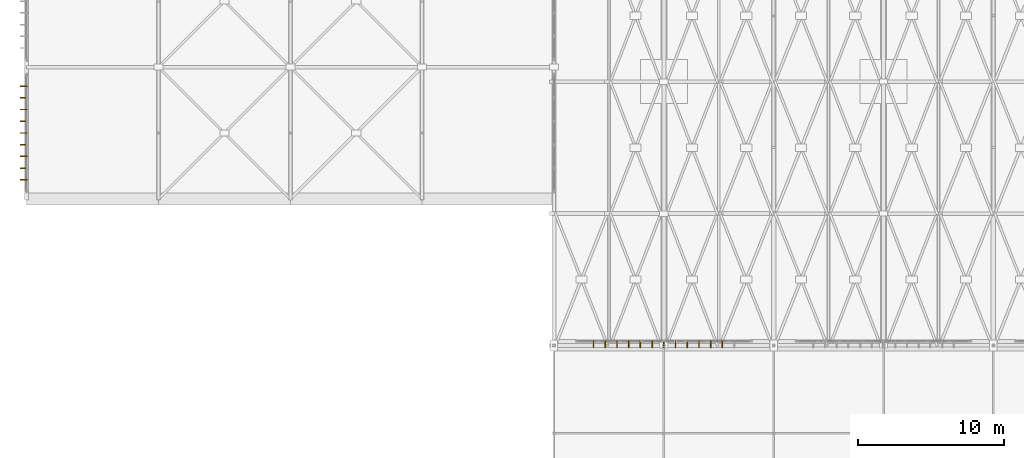
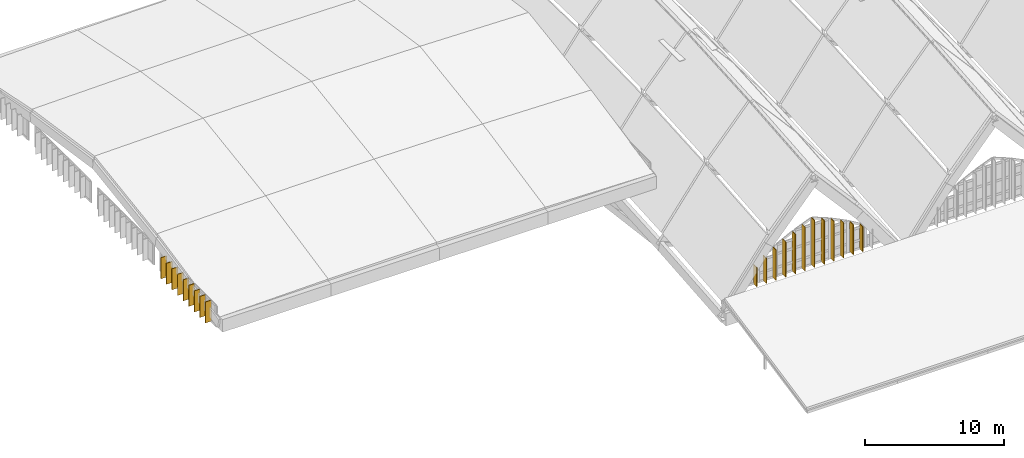
# One storey, part 83 of 93: 21 shading devices.
"""IFC4 building model written with IfcOpenShell, lengths in metres."""

from ifc_helpers import new_model, si_unit, direction, frame, origin, origin_2d, place, context, subcontext, project, spatial, rectangle, extrude, material, material_profile, profile_set, type_object, element, save


model = new_model("IFC4")

# Units and contexts
model_context = context("Model", 3, precision=1e-05, world=origin(), true_north=direction((0.0, 1.0)))
body_context = subcontext(model_context, "Body", "Model", "MODEL_VIEW")
ifc_project = project(units=[si_unit("LENGTHUNIT", "METRE"), si_unit("AREAUNIT", "SQUARE_METRE"), si_unit("VOLUMEUNIT", "CUBIC_METRE"), si_unit("PLANEANGLEUNIT", "RADIAN"), si_unit("MASSUNIT", "GRAM", prefix="KILO")], contexts=[model_context])

# Site, building, storey
site_placement = place(None, origin())
site = spatial("IfcSite", under=ifc_project, at=site_placement, CompositionType="ELEMENT")
building_placement = place(site_placement, origin())
building = spatial("IfcBuilding", under=site, at=building_placement, Name="Vourika Railside Aquatics Centre", CompositionType="ELEMENT")
storey_placement = place(building_placement, frame((0.0, 0.0, 21.89990234375)))
storey = spatial("IfcBuildingStorey", under=building, at=storey_placement, Name="Roof", CompositionType="ELEMENT", Elevation=21.89990234375)

# Shading devices
ifc_material = material(Name="Bronze-anodized extruded aluminium", Category="aluminium")
ifc_material_profile_1 = material_profile(ifc_material, rectangle(XDim=0.06005859375, YDim=0.47998046875, at=origin_2d()), Name="ALU-FIN 60x480")
ifc_profile_set_1 = profile_set([ifc_material_profile_1], Name="Bronze-anodized extruded aluminium")
shading_device_type_1 = type_object("IfcShadingDeviceType", Name="SHD-FIN-F48A", PredefinedType="USERDEFINED", material=ifc_profile_set_1)
shading_device_1_placement = place(storey_placement, frame((38.699951171875, 12.06494140625, -9.8798828125), z_axis=(0.0, 0.0, 1.0), x_axis=(-1.0, 0.0, 0.0)))
element("IfcShadingDevice", 1, at=shading_device_1_placement, inside=storey, type_object=shading_device_type_1, Name="Vertical Solar Fin VSF-0014", ObjectType="FIN", PredefinedType="USERDEFINED", context=body_context, shape_type="SweptSolid", body=[
    extrude(rectangle(XDim=0.06005859375, YDim=0.47998046875, at=origin_2d()), origin(), (0.0, 0.0, 1.0), 1.68603515625),
])
shading_device_2_placement = place(storey_placement, frame((39.5, 12.06494140625, -9.8798828125), z_axis=(0.0, 0.0, 1.0), x_axis=(-1.0, 0.0, 0.0)))
element("IfcShadingDevice", 2, at=shading_device_2_placement, inside=storey, type_object=shading_device_type_1, Name="Vertical Solar Fin VSF-0015", ObjectType="FIN", PredefinedType="USERDEFINED", context=body_context, shape_type="SweptSolid", body=[
    extrude(rectangle(XDim=0.06005859375, YDim=0.47998046875, at=origin_2d()), origin(), (0.0, 0.0, 1.0), 2.196044921875),
])
shading_device_3_placement = place(storey_placement, frame((40.300048828125, 12.06494140625, -9.8798828125), z_axis=(0.0, 0.0, 1.0), x_axis=(-1.0, 0.0, 0.0)))
element("IfcShadingDevice", 3, at=shading_device_3_placement, inside=storey, type_object=shading_device_type_1, Name="Vertical Solar Fin VSF-0016", ObjectType="FIN", PredefinedType="USERDEFINED", context=body_context, shape_type="SweptSolid", body=[
    extrude(rectangle(XDim=0.06005859375, YDim=0.47998046875, at=origin_2d()), origin(), (0.0, 0.0, 1.0), 2.6650390625),
])
shading_device_4_placement = place(storey_placement, frame((41.10009765625, 12.06494140625, -9.8798828125), z_axis=(0.0, 0.0, 1.0), x_axis=(-1.0, 0.0, 0.0)))
element("IfcShadingDevice", 4, at=shading_device_4_placement, inside=storey, type_object=shading_device_type_1, Name="Vertical Solar Fin VSF-0017", ObjectType="FIN", PredefinedType="USERDEFINED", context=body_context, shape_type="SweptSolid", body=[
    extrude(rectangle(XDim=0.06005859375, YDim=0.47998046875, at=origin_2d()), origin(), (0.0, 0.0, 1.0), 3.093017578125),
])
shading_device_5_placement = place(storey_placement, frame((41.89990234375, 12.06494140625, -9.8798828125), z_axis=(0.0, 0.0, 1.0), x_axis=(-1.0, 0.0, 0.0)))
element("IfcShadingDevice", 5, at=shading_device_5_placement, inside=storey, type_object=shading_device_type_1, Name="Vertical Solar Fin VSF-0018", ObjectType="FIN", PredefinedType="USERDEFINED", context=body_context, shape_type="SweptSolid", body=[
    extrude(rectangle(XDim=0.06005859375, YDim=0.47998046875, at=origin_2d()), origin(), (0.0, 0.0, 1.0), 3.47998046875),
])
for number, where, z_axis, x_axis, name in (
    (6, (42.699951171875, 12.06494140625, -9.8798828125), (0.0, 0.0, 1.0), (-1.0, 0.0, 0.0), "Vertical Solar Fin VSF-0019"),
    (7, (44.300048828125, 12.06494140625, -9.8798828125), (0.0, 0.0, 1.0), (-1.0, 0.0, 0.0), "Vertical Solar Fin VSF-0021"),
):
    element("IfcShadingDevice", number, at=place(storey_placement, frame(where, z_axis=z_axis, x_axis=x_axis)), inside=storey, type_object=shading_device_type_1, Name=name, ObjectType="FIN", PredefinedType="USERDEFINED", context=body_context, shape_type="SweptSolid", body=[
        extrude(rectangle(XDim=0.06005859375, YDim=0.47998046875, at=origin_2d()), origin(), (0.0, 0.0, 1.0), 3.824951171875),
    ])
shading_device_6_placement = place(storey_placement, frame((45.10009765625, 12.06494140625, -9.8798828125), z_axis=(0.0, 0.0, 1.0), x_axis=(-1.0, 0.0, 0.0)))
element("IfcShadingDevice", 8, at=shading_device_6_placement, inside=storey, type_object=shading_device_type_1, Name="Vertical Solar Fin VSF-0022", ObjectType="FIN", PredefinedType="USERDEFINED", context=body_context, shape_type="SweptSolid", body=[
    extrude(rectangle(XDim=0.06005859375, YDim=0.47998046875, at=origin_2d()), origin(), (0.0, 0.0, 1.0), 3.47998046875),
])
shading_device_7_placement = place(storey_placement, frame((45.89990234375, 12.06494140625, -9.8798828125), z_axis=(0.0, 0.0, 1.0), x_axis=(-1.0, 0.0, 0.0)))
element("IfcShadingDevice", 9, at=shading_device_7_placement, inside=storey, type_object=shading_device_type_1, Name="Vertical Solar Fin VSF-0023", ObjectType="FIN", PredefinedType="USERDEFINED", context=body_context, shape_type="SweptSolid", body=[
    extrude(rectangle(XDim=0.06005859375, YDim=0.47998046875, at=origin_2d()), origin(), (0.0, 0.0, 1.0), 3.093017578125),
])
shading_device_8_placement = place(storey_placement, frame((46.699951171875, 12.06494140625, -9.8798828125), z_axis=(0.0, 0.0, 1.0), x_axis=(-1.0, 0.0, 0.0)))
element("IfcShadingDevice", 10, at=shading_device_8_placement, inside=storey, type_object=shading_device_type_1, Name="Vertical Solar Fin VSF-0024", ObjectType="FIN", PredefinedType="USERDEFINED", context=body_context, shape_type="SweptSolid", body=[
    extrude(rectangle(XDim=0.06005859375, YDim=0.47998046875, at=origin_2d()), origin(), (0.0, 0.0, 1.0), 2.6650390625),
])
shading_device_9_placement = place(storey_placement, frame((47.5, 12.06494140625, -9.8798828125), z_axis=(0.0, 0.0, 1.0), x_axis=(-1.0, 0.0, 0.0)))
element("IfcShadingDevice", 11, at=shading_device_9_placement, inside=storey, type_object=shading_device_type_1, Name="Vertical Solar Fin VSF-0025", ObjectType="FIN", PredefinedType="USERDEFINED", context=body_context, shape_type="SweptSolid", body=[
    extrude(rectangle(XDim=0.06005859375, YDim=0.47998046875, at=origin_2d()), origin(), (0.0, 0.0, 1.0), 2.196044921875),
])
for number, where, z_axis, x_axis, name in (
    (12, (-0.215087890625, 23.300048828125, -6.2998046875), (0.0, 0.0, 1.0), (0.0, 1.0, 0.0), "Vertical Solar Fin VSF-0283"),
    (13, (-0.215087890625, 24.10009765625, -6.2998046875), (0.0, 0.0, 1.0), (0.0, 1.0, 0.0), "Vertical Solar Fin VSF-0284"),
    (14, (-0.215087890625, 24.89990234375, -6.2998046875), (0.0, 0.0, 1.0), (0.0, 1.0, 0.0), "Vertical Solar Fin VSF-0285"),
    (15, (-0.215087890625, 25.699951171875, -6.2998046875), (0.0, 0.0, 1.0), (0.0, 1.0, 0.0), "Vertical Solar Fin VSF-0286"),
    (16, (-0.215087890625, 26.5, -6.2998046875), (0.0, 0.0, 1.0), (0.0, 1.0, 0.0), "Vertical Solar Fin VSF-0287"),
    (17, (-0.215087890625, 27.300048828125, -6.2998046875), (0.0, 0.0, 1.0), (0.0, 1.0, 0.0), "Vertical Solar Fin VSF-0288"),
    (18, (-0.215087890625, 28.10009765625, -6.2998046875), (0.0, 0.0, 1.0), (0.0, 1.0, 0.0), "Vertical Solar Fin VSF-0289"),
    (19, (-0.215087890625, 28.89990234375, -6.2998046875), (0.0, 0.0, 1.0), (0.0, 1.0, 0.0), "Vertical Solar Fin VSF-0290"),
    (20, (-0.215087890625, 29.699951171875, -6.2998046875), (0.0, 0.0, 1.0), (0.0, 1.0, 0.0), "Vertical Solar Fin VSF-0291"),
):
    element("IfcShadingDevice", number, at=place(storey_placement, frame(where, z_axis=z_axis, x_axis=x_axis)), inside=storey, type_object=shading_device_type_1, Name=name, ObjectType="FIN", PredefinedType="USERDEFINED", context=body_context, shape_type="SweptSolid", body=[
        extrude(rectangle(XDim=0.06005859375, YDim=0.47998046875, at=origin_2d()), origin(), (0.0, 0.0, 1.0), 1.849853515625),
    ])
ifc_material_profile_2 = material_profile(ifc_material, rectangle(XDim=0.06005859375, YDim=0.47998046875, at=origin_2d()), Name="ALU-FIN 60x480")
ifc_profile_set_2 = profile_set([ifc_material_profile_2], Name="Bronze-anodized extruded aluminium")
shading_device_type_2 = type_object("IfcShadingDeviceType", Name="SHD-FIN-F48B", PredefinedType="USERDEFINED", material=ifc_profile_set_2)
shading_device_10_placement = place(storey_placement, frame((43.5, 12.06494140625, -9.8798828125), z_axis=(0.0, 0.0, 1.0), x_axis=(-1.0, 0.0, 0.0)))
element("IfcShadingDevice", 21, at=shading_device_10_placement, inside=storey, type_object=shading_device_type_2, Name="Vertical Solar Fin VSF-0020", ObjectType="FIN", PredefinedType="USERDEFINED", context=body_context, shape_type="SweptSolid", body=[
    extrude(rectangle(XDim=0.06005859375, YDim=0.47998046875, at=origin_2d()), origin(), (0.0, 0.0, 1.0), 4.1298828125),
])

save(model, "model.ifc")
